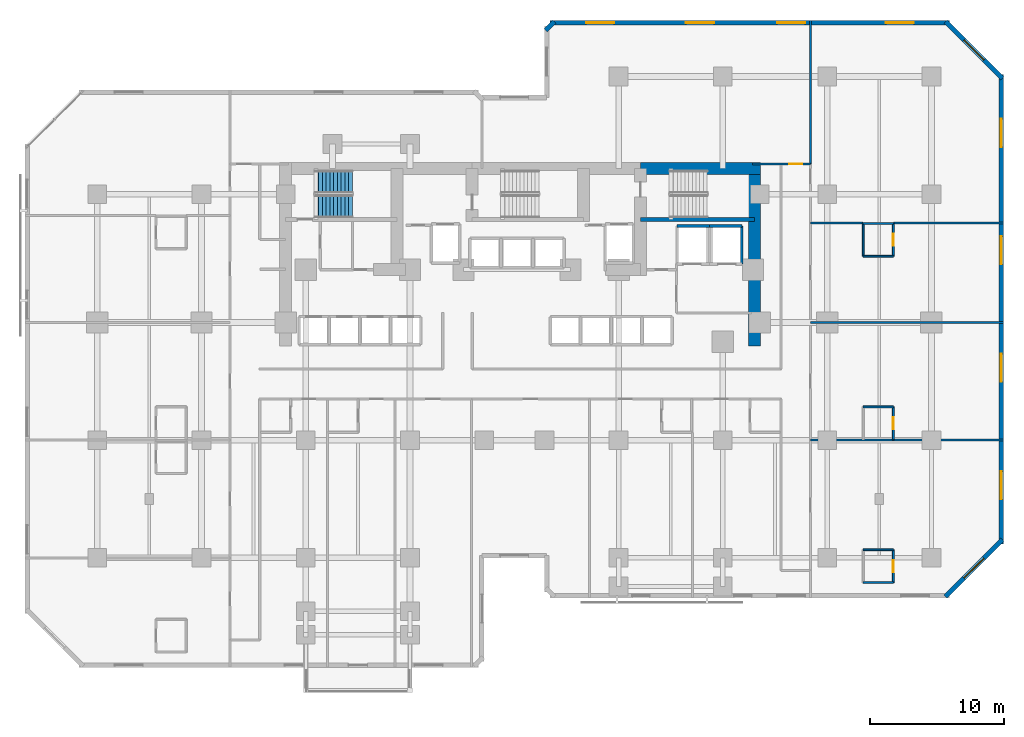
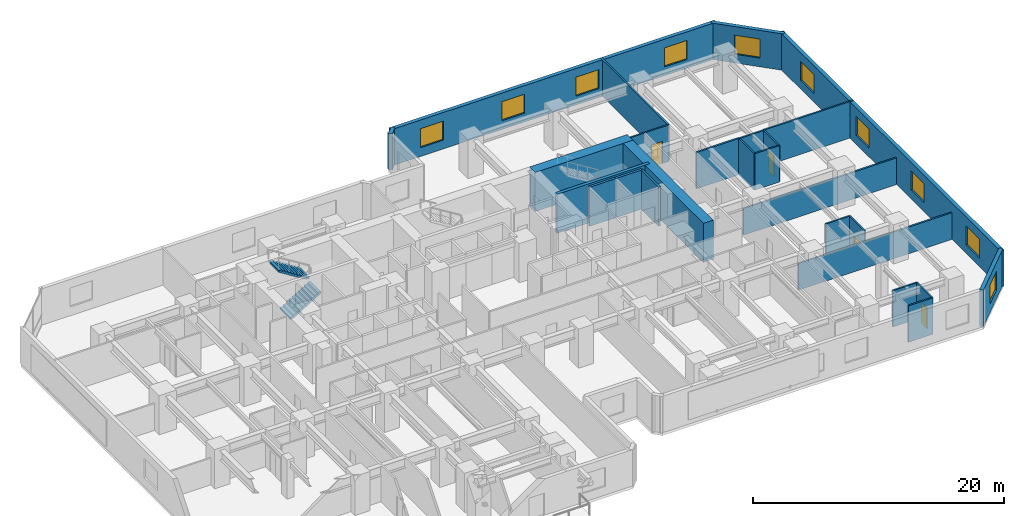
# One storey, part 9 of 12: 26 walls, 10 windows, 4 doors, 2 stair flights, 14 openings, 1 element without a shape of its own.
"""IFC4 building model written with IfcOpenShell, lengths in metres."""

from ifc_helpers import new_model, si_unit, direction, frame, frame_2d, origin, place, context, subcontext, project, spatial, polyline, rectangle, outline, extrude, material, layer, layer_set, type_object, element, fill, aggregate, save


model = new_model("IFC4")

# Units and contexts
model_context = context("Model", 3, precision=1e-05, world=origin(), true_north=direction((0.0, 1.0)))
body_context = subcontext(model_context, "Body", "Model", "MODEL_VIEW")
ifc_project = project(units=[si_unit("LENGTHUNIT", "METRE"), si_unit("AREAUNIT", "SQUARE_METRE"), si_unit("VOLUMEUNIT", "CUBIC_METRE"), si_unit("PLANEANGLEUNIT", "RADIAN"), si_unit("MASSUNIT", "GRAM", prefix="KILO")], contexts=[model_context])

# Site, building, storey
site_placement = place(None, origin())
site = spatial("IfcSite", under=ifc_project, at=site_placement, CompositionType="ELEMENT")
building_placement = place(site_placement, origin())
building = spatial("IfcBuilding", under=site, at=building_placement, Name="Kestravale Grand Hotel", CompositionType="ELEMENT")
storey_placement = place(building_placement, frame((0.0, 0.0, 64.0)))
storey = spatial("IfcBuildingStorey", under=building, at=storey_placement, Name="L15", CompositionType="ELEMENT", Elevation=64.0)

# Walls
ifc_material_1 = material(Name="Concrete f'c 70 MPa", Category="concrete")
ifc_layer_1 = layer(ifc_material_1, 0.89990234375)
ifc_layer_set_1 = layer_set([ifc_layer_1], Name="EW-CORE-900")
wall_type_1 = type_object("IfcWallType", Name="EW-CORE-900", PredefinedType="SHEAR", material=ifc_layer_set_1)
wall_1_placement = place(storey_placement, frame((48.449951171875, 40.320068359375, 0.0), z_axis=(0.0, 0.0, 1.0), x_axis=(1.0, 0.0, 0.0)))
element("IfcWall", 1, at=wall_1_placement, inside=storey, type_object=wall_type_1, Name="L15 core shear wall N3", PredefinedType="SHEAR", context=body_context, shape_type="SweptSolid", body=[
    extrude(rectangle(XDim=8.969970703125, YDim=0.89990234375, at=frame_2d((4.48486328125, 0.0))), origin(), (0.0, 0.0, 1.0), 3.800048828125),
])
wall_2_placement = place(storey_placement, frame((56.969970703125, 27.050048828125, 0.0), z_axis=(0.0, 0.0, 1.0), x_axis=(0.0, 1.0, 0.0)))
element("IfcWall", 2, at=wall_2_placement, inside=storey, type_object=wall_type_1, Name="L15 core shear wall E1", PredefinedType="SHEAR", context=body_context, shape_type="SweptSolid", body=[
    extrude(rectangle(XDim=13.719970703125, YDim=0.89990234375, at=frame_2d((6.85986328125, 0.0))), origin(), (0.0, 0.0, 1.0), 3.800048828125),
])

# Wall, opening, window
ifc_material_2 = material(Name="Precast concrete f'c 45 MPa", Category="concrete")
ifc_layer_2 = layer(ifc_material_2, 0.340087890625)
ifc_layer_set_2 = layer_set([ifc_layer_2], Name="EW-PREC-340")
wall_type_2 = type_object("IfcWallType", Name="EW-PREC-340", PredefinedType="SOLIDWALL", material=ifc_layer_set_2)
wall_3_placement = place(storey_placement, frame((71.25146484375, 8.2919921875, 0.0), z_axis=(0.0, 0.0, 1.0), x_axis=(0.707106781187, 0.707106781187, 0.0)))
wall_3 = element("IfcWall", 3, at=wall_3_placement, inside=storey, type_object=wall_type_2, Name="L15 fluted precast facade wall 8", PredefinedType="SOLIDWALL", context=body_context, shape_type="SweptSolid", body=[
    extrude(rectangle(XDim=6.019775390625, YDim=0.340087890625, at=frame_2d((3.009765625, 0.0))), origin(), (0.0, 0.0, 1.0), 3.5400390625),
])
opening_1_placement = place(wall_3_placement, frame((1.9599609375, 0.0, 0.85009765625)))
opening_1 = element("IfcOpeningElement", 4, at=opening_1_placement, cuts=wall_3, Name="Opening W-GUEST-2100", PredefinedType="OPENING", context=body_context, shape_type="SweptSolid", body=[
    extrude(rectangle(XDim=2.10009765625, YDim=1.85009765625, at=frame_2d((1.050048828125, 0.925048828125))), frame((0.0, 0.179931640625, 0.0), z_axis=(0.0, -1.0, 0.0), x_axis=(1.0, 0.0, 0.0)), (0.0, 0.0, 1.0), 0.360107421875),
])
ifc_material_3 = material(Name="Insulated low-E double glazing in aluminium frame", Category="aluminium")
window_type = type_object("IfcWindowType", Name="W-GUEST-2100", PartitioningType="DOUBLE_PANEL_VERTICAL", PredefinedType="WINDOW", material=ifc_material_3)
window_1_placement = place(opening_1_placement, origin())
window_1 = element("IfcWindow", 5, at=window_1_placement, inside=storey, type_object=window_type, Name="L15 exterior window 8.1", OverallHeight=1.85009765625, OverallWidth=2.10009765625, PartitioningType="SINGLE_PANEL", PredefinedType="WINDOW", context=body_context, shape_type="SweptSolid", body=[
    extrude(rectangle(XDim=2.10009765625, YDim=1.85009765625, at=frame_2d((1.050048828125, 0.925048828125))), frame((0.0, 0.030029296875, 0.0), z_axis=(0.0, -1.0, 0.0), x_axis=(1.0, 0.0, 0.0)), (0.0, 0.0, 1.0), 0.06005859375),
])
fill(opening_1, window_1)

# Wall, openings, windows
wall_4_placement = place(storey_placement, frame((75.429931640625, 12.22998046875, 0.0), z_axis=(0.0, 0.0, 1.0), x_axis=(0.0, 1.0, 0.0)))
wall_4 = element("IfcWall", 6, at=wall_4_placement, inside=storey, type_object=wall_type_2, Name="L15 fluted precast facade wall 9", PredefinedType="SOLIDWALL", context=body_context, shape_type="SweptSolid", body=[
    extrude(rectangle(XDim=35.14013671875, YDim=0.340087890625, at=frame_2d((17.570068359375, 0.0))), origin(), (0.0, 0.0, 1.0), 3.5400390625),
])
opening_2_placement = place(wall_4_placement, frame((3.342529296875, 0.0, 0.85009765625)))
opening_2 = element("IfcOpeningElement", 7, at=opening_2_placement, cuts=wall_4, Name="Opening W-GUEST-2100", PredefinedType="OPENING", context=body_context, shape_type="SweptSolid", body=[
    extrude(rectangle(XDim=2.10009765625, YDim=1.85009765625, at=frame_2d((1.050048828125, 0.925048828125))), frame((0.0, 0.179931640625, 0.0), z_axis=(0.0, -1.0, 0.0), x_axis=(1.0, 0.0, 0.0)), (0.0, 0.0, 1.0), 0.360107421875),
])
opening_3_placement = place(wall_4_placement, frame((12.12744140625, 0.0, 0.85009765625)))
opening_3 = element("IfcOpeningElement", 8, at=opening_3_placement, cuts=wall_4, Name="Opening W-GUEST-2100", PredefinedType="OPENING", context=body_context, shape_type="SweptSolid", body=[
    extrude(rectangle(XDim=2.10009765625, YDim=1.85009765625, at=frame_2d((1.050048828125, 0.925048828125))), frame((0.0, 0.179931640625, 0.0), z_axis=(0.0, -1.0, 0.0), x_axis=(1.0, 0.0, 0.0)), (0.0, 0.0, 1.0), 0.360107421875),
])
opening_4_placement = place(wall_4_placement, frame((20.91259765625, 0.0, 0.85009765625)))
opening_4 = element("IfcOpeningElement", 9, at=opening_4_placement, cuts=wall_4, Name="Opening W-GUEST-2100", PredefinedType="OPENING", context=body_context, shape_type="SweptSolid", body=[
    extrude(rectangle(XDim=2.10009765625, YDim=1.85009765625, at=frame_2d((1.050048828125, 0.925048828125))), frame((0.0, 0.179931640625, 0.0), z_axis=(0.0, -1.0, 0.0), x_axis=(1.0, 0.0, 0.0)), (0.0, 0.0, 1.0), 0.360107421875),
])
opening_5_placement = place(wall_4_placement, frame((29.697509765625, 0.0, 0.85009765625)))
opening_5 = element("IfcOpeningElement", 10, at=opening_5_placement, cuts=wall_4, Name="Opening W-GUEST-2100", PredefinedType="OPENING", context=body_context, shape_type="SweptSolid", body=[
    extrude(rectangle(XDim=2.10009765625, YDim=1.85009765625, at=frame_2d((1.050048828125, 0.925048828125))), frame((0.0, 0.179931640625, 0.0), z_axis=(0.0, -1.0, 0.0), x_axis=(1.0, 0.0, 0.0)), (0.0, 0.0, 1.0), 0.360107421875),
])
window_2_placement = place(opening_2_placement, origin())
window_2 = element("IfcWindow", 11, at=window_2_placement, inside=storey, type_object=window_type, Name="L15 exterior window 9.1", OverallHeight=1.85009765625, OverallWidth=2.10009765625, PartitioningType="SINGLE_PANEL", PredefinedType="WINDOW", context=body_context, shape_type="SweptSolid", body=[
    extrude(rectangle(XDim=2.10009765625, YDim=1.85009765625, at=frame_2d((1.050048828125, 0.925048828125))), frame((0.0, 0.030029296875, 0.0), z_axis=(0.0, -1.0, 0.0), x_axis=(1.0, 0.0, 0.0)), (0.0, 0.0, 1.0), 0.06005859375),
])
fill(opening_2, window_2)
window_3_placement = place(opening_3_placement, origin())
window_3 = element("IfcWindow", 12, at=window_3_placement, inside=storey, type_object=window_type, Name="L15 exterior window 9.2", OverallHeight=1.85009765625, OverallWidth=2.10009765625, PartitioningType="SINGLE_PANEL", PredefinedType="WINDOW", context=body_context, shape_type="SweptSolid", body=[
    extrude(rectangle(XDim=2.10009765625, YDim=1.85009765625, at=frame_2d((1.050048828125, 0.925048828125))), frame((0.0, 0.030029296875, 0.0), z_axis=(0.0, -1.0, 0.0), x_axis=(1.0, 0.0, 0.0)), (0.0, 0.0, 1.0), 0.06005859375),
])
fill(opening_3, window_3)
window_4_placement = place(opening_4_placement, origin())
window_4 = element("IfcWindow", 13, at=window_4_placement, inside=storey, type_object=window_type, Name="L15 exterior window 9.3", OverallHeight=1.85009765625, OverallWidth=2.10009765625, PartitioningType="SINGLE_PANEL", PredefinedType="WINDOW", context=body_context, shape_type="SweptSolid", body=[
    extrude(rectangle(XDim=2.10009765625, YDim=1.85009765625, at=frame_2d((1.050048828125, 0.925048828125))), frame((0.0, 0.030029296875, 0.0), z_axis=(0.0, -1.0, 0.0), x_axis=(1.0, 0.0, 0.0)), (0.0, 0.0, 1.0), 0.06005859375),
])
fill(opening_4, window_4)
window_5_placement = place(opening_5_placement, origin())
window_5 = element("IfcWindow", 14, at=window_5_placement, inside=storey, type_object=window_type, Name="L15 exterior window 9.4", OverallHeight=1.85009765625, OverallWidth=2.10009765625, PartitioningType="SINGLE_PANEL", PredefinedType="WINDOW", context=body_context, shape_type="SweptSolid", body=[
    extrude(rectangle(XDim=2.10009765625, YDim=1.85009765625, at=frame_2d((1.050048828125, 0.925048828125))), frame((0.0, 0.030029296875, 0.0), z_axis=(0.0, -1.0, 0.0), x_axis=(1.0, 0.0, 0.0)), (0.0, 0.0, 1.0), 0.06005859375),
])
fill(opening_5, window_5)

# Wall, opening, window
wall_5_placement = place(storey_placement, frame((75.508056640625, 47.051513671875, 0.0), z_axis=(0.0, 0.0, 1.0), x_axis=(-0.707106781187, 0.707106781187, 0.0)))
wall_5 = element("IfcWall", 15, at=wall_5_placement, inside=storey, type_object=wall_type_2, Name="L15 fluted precast facade wall 10", PredefinedType="SOLIDWALL", context=body_context, shape_type="SweptSolid", body=[
    extrude(rectangle(XDim=6.019775390625, YDim=0.340087890625, at=frame_2d((3.009765625, 0.0))), origin(), (0.0, 0.0, 1.0), 3.5400390625),
])
opening_6_placement = place(wall_5_placement, frame((1.9599609375, 0.0, 0.85009765625)))
opening_6 = element("IfcOpeningElement", 16, at=opening_6_placement, cuts=wall_5, Name="Opening W-GUEST-2100", PredefinedType="OPENING", context=body_context, shape_type="SweptSolid", body=[
    extrude(rectangle(XDim=2.10009765625, YDim=1.85009765625, at=frame_2d((1.050048828125, 0.925048828125))), frame((0.0, 0.179931640625, 0.0), z_axis=(0.0, -1.0, 0.0), x_axis=(1.0, 0.0, 0.0)), (0.0, 0.0, 1.0), 0.360107421875),
])
window_6_placement = place(opening_6_placement, origin())
window_6 = element("IfcWindow", 17, at=window_6_placement, inside=storey, type_object=window_type, Name="L15 exterior window 10.1", OverallHeight=1.85009765625, OverallWidth=2.10009765625, PartitioningType="SINGLE_PANEL", PredefinedType="WINDOW", context=body_context, shape_type="SweptSolid", body=[
    extrude(rectangle(XDim=2.10009765625, YDim=1.85009765625, at=frame_2d((1.050048828125, 0.925048828125))), frame((0.0, 0.030029296875, 0.0), z_axis=(0.0, -1.0, 0.0), x_axis=(1.0, 0.0, 0.0)), (0.0, 0.0, 1.0), 0.06005859375),
])
fill(opening_6, window_6)

# Wall, openings, windows
wall_6_placement = place(storey_placement, frame((71.570068359375, 51.22998046875, 0.0), z_axis=(0.0, 0.0, 1.0), x_axis=(-1.0, 0.0, 0.0)))
wall_6 = element("IfcWall", 18, at=wall_6_placement, inside=storey, type_object=wall_type_2, Name="L15 fluted precast facade wall 11", PredefinedType="SOLIDWALL", context=body_context, shape_type="SweptSolid", body=[
    extrude(rectangle(XDim=29.89013671875, YDim=0.340087890625, at=frame_2d((14.945068359375, 0.0))), origin(), (0.0, 0.0, 1.0), 3.5400390625),
])
opening_7_placement = place(wall_6_placement, frame((2.686279296875, 0.0, 0.85009765625)))
opening_7 = element("IfcOpeningElement", 19, at=opening_7_placement, cuts=wall_6, Name="Opening W-GUEST-2100", PredefinedType="OPENING", context=body_context, shape_type="SweptSolid", body=[
    extrude(rectangle(XDim=2.10009765625, YDim=1.85009765625, at=frame_2d((1.050048828125, 0.925048828125))), frame((0.0, 0.179931640625, 0.0), z_axis=(0.0, -1.0, 0.0), x_axis=(1.0, 0.0, 0.0)), (0.0, 0.0, 1.0), 0.360107421875),
])
opening_8_placement = place(wall_6_placement, frame((10.80859375, 0.0, 0.85009765625)))
opening_8 = element("IfcOpeningElement", 20, at=opening_8_placement, cuts=wall_6, Name="Opening W-GUEST-2100", PredefinedType="OPENING", context=body_context, shape_type="SweptSolid", body=[
    extrude(rectangle(XDim=2.10009765625, YDim=1.85009765625, at=frame_2d((1.050048828125, 0.925048828125))), frame((0.0, 0.179931640625, 0.0), z_axis=(0.0, -1.0, 0.0), x_axis=(1.0, 0.0, 0.0)), (0.0, 0.0, 1.0), 0.360107421875),
])
opening_9_placement = place(wall_6_placement, frame((17.631103515625, 0.0, 0.85009765625)))
opening_9 = element("IfcOpeningElement", 21, at=opening_9_placement, cuts=wall_6, Name="Opening W-GUEST-2100", PredefinedType="OPENING", context=body_context, shape_type="SweptSolid", body=[
    extrude(rectangle(XDim=2.10009765625, YDim=1.85009765625, at=frame_2d((1.050048828125, 0.925048828125))), frame((0.0, 0.179931640625, 0.0), z_axis=(0.0, -1.0, 0.0), x_axis=(1.0, 0.0, 0.0)), (0.0, 0.0, 1.0), 0.360107421875),
])
opening_10_placement = place(wall_6_placement, frame((25.103759765625, 0.0, 0.85009765625)))
opening_10 = element("IfcOpeningElement", 22, at=opening_10_placement, cuts=wall_6, Name="Opening W-GUEST-2100", PredefinedType="OPENING", context=body_context, shape_type="SweptSolid", body=[
    extrude(rectangle(XDim=2.10009765625, YDim=1.85009765625, at=frame_2d((1.050048828125, 0.925048828125))), frame((0.0, 0.179931640625, 0.0), z_axis=(0.0, -1.0, 0.0), x_axis=(1.0, 0.0, 0.0)), (0.0, 0.0, 1.0), 0.360107421875),
])
window_7_placement = place(opening_7_placement, origin())
window_7 = element("IfcWindow", 23, at=window_7_placement, inside=storey, type_object=window_type, Name="L15 exterior window 11.1", OverallHeight=1.85009765625, OverallWidth=2.10009765625, PartitioningType="SINGLE_PANEL", PredefinedType="WINDOW", context=body_context, shape_type="SweptSolid", body=[
    extrude(rectangle(XDim=2.10009765625, YDim=1.85009765625, at=frame_2d((1.050048828125, 0.925048828125))), frame((0.0, 0.030029296875, 0.0), z_axis=(0.0, -1.0, 0.0), x_axis=(1.0, 0.0, 0.0)), (0.0, 0.0, 1.0), 0.06005859375),
])
fill(opening_7, window_7)
window_8_placement = place(opening_8_placement, origin())
window_8 = element("IfcWindow", 24, at=window_8_placement, inside=storey, type_object=window_type, Name="L15 exterior window 11.2", OverallHeight=1.85009765625, OverallWidth=2.10009765625, PartitioningType="SINGLE_PANEL", PredefinedType="WINDOW", context=body_context, shape_type="SweptSolid", body=[
    extrude(rectangle(XDim=2.10009765625, YDim=1.85009765625, at=frame_2d((1.050048828125, 0.925048828125))), frame((0.0, 0.030029296875, 0.0), z_axis=(0.0, -1.0, 0.0), x_axis=(1.0, 0.0, 0.0)), (0.0, 0.0, 1.0), 0.06005859375),
])
fill(opening_8, window_8)
window_9_placement = place(opening_9_placement, origin())
window_9 = element("IfcWindow", 25, at=window_9_placement, inside=storey, type_object=window_type, Name="L15 exterior window 11.3", OverallHeight=1.85009765625, OverallWidth=2.10009765625, PartitioningType="SINGLE_PANEL", PredefinedType="WINDOW", context=body_context, shape_type="SweptSolid", body=[
    extrude(rectangle(XDim=2.10009765625, YDim=1.85009765625, at=frame_2d((1.050048828125, 0.925048828125))), frame((0.0, 0.030029296875, 0.0), z_axis=(0.0, -1.0, 0.0), x_axis=(1.0, 0.0, 0.0)), (0.0, 0.0, 1.0), 0.06005859375),
])
fill(opening_9, window_9)
window_10_placement = place(opening_10_placement, origin())
window_10 = element("IfcWindow", 26, at=window_10_placement, inside=storey, type_object=window_type, Name="L15 exterior window 11.4", OverallHeight=1.85009765625, OverallWidth=2.10009765625, PartitioningType="SINGLE_PANEL", PredefinedType="WINDOW", context=body_context, shape_type="SweptSolid", body=[
    extrude(rectangle(XDim=2.10009765625, YDim=1.85009765625, at=frame_2d((1.050048828125, 0.925048828125))), frame((0.0, 0.030029296875, 0.0), z_axis=(0.0, -1.0, 0.0), x_axis=(1.0, 0.0, 0.0)), (0.0, 0.0, 1.0), 0.06005859375),
])
fill(opening_10, window_10)

# Walls
wall_7_placement = place(storey_placement, frame((41.99853515625, 51.30810546875, 0.0), z_axis=(0.0, 0.0, 1.0), x_axis=(-0.707238225886, -0.706975312048, 0.0)))
element("IfcWall", 27, at=wall_7_placement, inside=storey, type_object=wall_type_2, Name="L15 fluted precast facade wall 12", PredefinedType="SOLIDWALL", context=body_context, shape_type="SweptSolid", body=[
    extrude(rectangle(XDim=0.9287109375, YDim=0.340087890625, at=frame_2d((0.46435546875, 0.0))), origin(), (0.0, 0.0, 1.0), 3.5400390625),
])
ifc_material_4 = material(Name="Concrete f'c 45 MPa", Category="concrete")
ifc_layer_3 = layer(ifc_material_4, 0.300048828125)
ifc_layer_set_3 = layer_set([ifc_layer_3], Name="EW-STAIR-300")
wall_type_3 = type_object("IfcWallType", Name="EW-STAIR-300", PredefinedType="SHEAR", material=ifc_layer_set_3)
wall_8_placement = place(storey_placement, frame((48.449951171875, 36.52001953125, 0.0), z_axis=(0.0, 0.0, 1.0), x_axis=(1.0, 0.0, 0.0)))
element("IfcWall", 28, at=wall_8_placement, inside=storey, type_object=wall_type_3, Name="L15 stair enclosure shear wall SST3", PredefinedType="SHEAR", context=body_context, shape_type="SweptSolid", body=[
    extrude(rectangle(XDim=8.52001953125, YDim=0.300048828125, at=frame_2d((4.260009765625, 0.0))), origin(), (0.0, 0.0, 1.0), 3.800048828125),
])

# Wall, opening, door
ifc_material_5 = material(Name="Moisture-resistant tile-backer plumbing chase wall", Category="other")
ifc_layer_4 = layer(ifc_material_5, 0.139892578125)
ifc_layer_set_4 = layer_set([ifc_layer_4], Name="IW-PLB-140")
wall_type_4 = type_object("IfcWallType", Name="IW-PLB-140", PredefinedType="PLUMBINGWALL", material=ifc_layer_set_4)
wall_9_placement = place(storey_placement, frame((67.35009765625, 9.35009765625, 0.0), z_axis=(0.0, 0.0, 1.0), x_axis=(0.0, 1.0, 0.0)))
wall_9 = element("IfcWall", 29, at=wall_9_placement, inside=storey, type_object=wall_type_4, Name="W-L15-U09-BE", PredefinedType="PLUMBINGWALL", context=body_context, shape_type="SweptSolid", body=[
    extrude(rectangle(XDim=2.449951171875, YDim=0.139892578125, at=frame_2d((1.22509765625, 0.0))), origin(), (0.0, 0.0, 1.0), 3.5400390625),
])
opening_11_placement = place(wall_9_placement, frame((0.784912109375, 0.0, 0.0)))
opening_11 = element("IfcOpeningElement", 30, at=opening_11_placement, cuts=wall_9, Name="Opening D-BATH-880", PredefinedType="OPENING", context=body_context, shape_type="SweptSolid", body=[
    extrude(rectangle(XDim=0.8798828125, YDim=2.050048828125, at=frame_2d((0.43994140625, 1.02490234375))), frame((0.0, 0.079833984375, 0.0), z_axis=(0.0, -1.0, 0.0), x_axis=(1.0, 0.0, 0.0)), (0.0, 0.0, 1.0), 0.159912109375),
])
ifc_material_6 = material(Name="Moisture-sealed walnut en-suite bathroom door", Category="wood")
door_type_1 = type_object("IfcDoorType", Name="D-BATH-880", OperationType="NOTDEFINED", PredefinedType="DOOR", material=ifc_material_6)
door_1_placement = place(opening_11_placement, origin())
door_1 = element("IfcDoor", 31, at=door_1_placement, inside=storey, type_object=door_type_1, Name="D-L15-U09-BATH", OperationType="SINGLE_SWING_RIGHT", OverallHeight=2.050048828125, OverallWidth=0.8798828125, PredefinedType="DOOR", context=body_context, shape_type="SweptSolid", body=[
    extrude(rectangle(XDim=0.8798828125, YDim=2.050048828125, at=frame_2d((0.43994140625, 1.02490234375))), frame((0.0, 0.02490234375, 0.0), z_axis=(0.0, -1.0, 0.0), x_axis=(1.0, 0.0, 0.0)), (0.0, 0.0, 1.0), 0.050048828125),
])
fill(opening_11, door_1)

# Walls
for number, where, z_axis, x_axis, name in (
    (32, (65.10009765625, 9.35009765625, 0.0), (0.0, 0.0, 1.0), (1.0, 0.0, 0.0), "W-L15-U09-BS"),
    (33, (65.10009765625, 11.800048828125, 0.0), (0.0, 0.0, 1.0), (1.0, 0.0, 0.0), "W-L15-U09-BN"),
):
    element("IfcWall", number, at=place(storey_placement, frame(where, z_axis=z_axis, x_axis=x_axis)), inside=storey, type_object=wall_type_4, Name=name, PredefinedType="PLUMBINGWALL", context=body_context, shape_type="SweptSolid", body=[
        extrude(rectangle(XDim=2.25, YDim=0.139892578125, at=frame_2d((1.125, 0.0))), origin(), (0.0, 0.0, 1.0), 3.5400390625),
    ])

# Wall, opening, door
wall_10_placement = place(storey_placement, frame((67.35009765625, 20.0400390625, 0.0), z_axis=(0.0, 0.0, 1.0), x_axis=(0.0, 1.0, 0.0)))
wall_10 = element("IfcWall", 34, at=wall_10_placement, inside=storey, type_object=wall_type_4, Name="W-L15-U10-BE", PredefinedType="PLUMBINGWALL", context=body_context, shape_type="SweptSolid", body=[
    extrude(rectangle(XDim=2.449951171875, YDim=0.139892578125, at=frame_2d((1.22509765625, 0.0))), origin(), (0.0, 0.0, 1.0), 3.5400390625),
])
opening_12_placement = place(wall_10_placement, frame((0.784912109375, 0.0, 0.0)))
opening_12 = element("IfcOpeningElement", 35, at=opening_12_placement, cuts=wall_10, Name="Opening D-BATH-880", PredefinedType="OPENING", context=body_context, shape_type="SweptSolid", body=[
    extrude(rectangle(XDim=0.8798828125, YDim=2.050048828125, at=frame_2d((0.43994140625, 1.02490234375))), frame((0.0, 0.079833984375, 0.0), z_axis=(0.0, -1.0, 0.0), x_axis=(1.0, 0.0, 0.0)), (0.0, 0.0, 1.0), 0.159912109375),
])
door_2_placement = place(opening_12_placement, origin())
door_2 = element("IfcDoor", 36, at=door_2_placement, inside=storey, type_object=door_type_1, Name="D-L15-U10-BATH", OperationType="SINGLE_SWING_RIGHT", OverallHeight=2.050048828125, OverallWidth=0.8798828125, PredefinedType="DOOR", context=body_context, shape_type="SweptSolid", body=[
    extrude(rectangle(XDim=0.8798828125, YDim=2.050048828125, at=frame_2d((0.43994140625, 1.02490234375))), frame((0.0, 0.02490234375, 0.0), z_axis=(0.0, -1.0, 0.0), x_axis=(1.0, 0.0, 0.0)), (0.0, 0.0, 1.0), 0.050048828125),
])
fill(opening_12, door_2)

# Walls
wall_11_placement = place(storey_placement, frame((65.10009765625, 22.489990234375, 0.0), z_axis=(0.0, 0.0, 1.0), x_axis=(1.0, 0.0, 0.0)))
element("IfcWall", 37, at=wall_11_placement, inside=storey, type_object=wall_type_4, Name="W-L15-U10-BN", PredefinedType="PLUMBINGWALL", context=body_context, shape_type="SweptSolid", body=[
    extrude(rectangle(XDim=2.25, YDim=0.139892578125, at=frame_2d((1.125, 0.0))), origin(), (0.0, 0.0, 1.0), 3.5400390625),
])
wall_12_placement = place(storey_placement, frame((65.10009765625, 33.760009765625, 0.0), z_axis=(0.0, 0.0, 1.0), x_axis=(0.0, 1.0, 0.0)))
element("IfcWall", 38, at=wall_12_placement, inside=storey, type_object=wall_type_4, Name="W-L15-U11-BW", PredefinedType="PLUMBINGWALL", context=body_context, shape_type="SweptSolid", body=[
    extrude(rectangle(XDim=2.449951171875, YDim=0.139892578125, at=frame_2d((1.22509765625, 0.0))), origin(), (0.0, 0.0, 1.0), 3.5400390625),
])

# Wall, opening, door
wall_13_placement = place(storey_placement, frame((67.35009765625, 33.760009765625, 0.0), z_axis=(0.0, 0.0, 1.0), x_axis=(0.0, 1.0, 0.0)))
wall_13 = element("IfcWall", 39, at=wall_13_placement, inside=storey, type_object=wall_type_4, Name="W-L15-U11-BE", PredefinedType="PLUMBINGWALL", context=body_context, shape_type="SweptSolid", body=[
    extrude(rectangle(XDim=2.449951171875, YDim=0.139892578125, at=frame_2d((1.22509765625, 0.0))), origin(), (0.0, 0.0, 1.0), 3.5400390625),
])
opening_13_placement = place(wall_13_placement, frame((0.784912109375, 0.0, 0.0)))
opening_13 = element("IfcOpeningElement", 40, at=opening_13_placement, cuts=wall_13, Name="Opening D-BATH-880", PredefinedType="OPENING", context=body_context, shape_type="SweptSolid", body=[
    extrude(rectangle(XDim=0.8798828125, YDim=2.050048828125, at=frame_2d((0.43994140625, 1.02490234375))), frame((0.0, 0.079833984375, 0.0), z_axis=(0.0, -1.0, 0.0), x_axis=(1.0, 0.0, 0.0)), (0.0, 0.0, 1.0), 0.159912109375),
])
door_3_placement = place(opening_13_placement, origin())
door_3 = element("IfcDoor", 41, at=door_3_placement, inside=storey, type_object=door_type_1, Name="D-L15-U11-BATH", OperationType="SINGLE_SWING_RIGHT", OverallHeight=2.050048828125, OverallWidth=0.8798828125, PredefinedType="DOOR", context=body_context, shape_type="SweptSolid", body=[
    extrude(rectangle(XDim=0.8798828125, YDim=2.050048828125, at=frame_2d((0.43994140625, 1.02490234375))), frame((0.0, 0.02490234375, 0.0), z_axis=(0.0, -1.0, 0.0), x_axis=(1.0, 0.0, 0.0)), (0.0, 0.0, 1.0), 0.050048828125),
])
fill(opening_13, door_3)

# Walls
for number, where, z_axis, x_axis, name in (
    (42, (65.10009765625, 33.760009765625, 0.0), (0.0, 0.0, 1.0), (1.0, 0.0, 0.0), "W-L15-U11-BS"),
    (43, (65.10009765625, 36.2099609375, 0.0), (0.0, 0.0, 1.0), (1.0, 0.0, 0.0), "W-L15-U11-BN"),
):
    element("IfcWall", number, at=place(storey_placement, frame(where, z_axis=z_axis, x_axis=x_axis)), inside=storey, type_object=wall_type_4, Name=name, PredefinedType="PLUMBINGWALL", context=body_context, shape_type="SweptSolid", body=[
        extrude(rectangle(XDim=2.25, YDim=0.139892578125, at=frame_2d((1.125, 0.0))), origin(), (0.0, 0.0, 1.0), 3.5400390625),
    ])
ifc_material_7 = material(Name="Concrete f'c 45 MPa", Category="concrete")
ifc_layer_5 = layer(ifc_material_7, 0.199951171875)
ifc_layer_set_5 = layer_set([ifc_layer_5], Name="IW-SHAFT-200")
wall_type_5 = type_object("IfcWallType", Name="IW-SHAFT-200", PredefinedType="SHEAR", material=ifc_layer_set_5)
wall_14_placement = place(storey_placement, frame((56.02001953125, 33.169921875, 0.0), z_axis=(0.0, 0.0, 1.0), x_axis=(0.0, 1.0, 0.0)))
element("IfcWall", 44, at=wall_14_placement, inside=storey, type_object=wall_type_5, Name="L15 SL-2 east shaft wall", PredefinedType="SHEAR", context=body_context, shape_type="SweptSolid", body=[
    extrude(rectangle(XDim=2.860107421875, YDim=0.199951171875, at=frame_2d((1.43017578125, 0.0))), origin(), (0.0, 0.0, 1.0), 3.800048828125),
])
ifc_material_8 = material(Name="Concrete f'c 45 MPa", Category="concrete")
ifc_layer_6 = layer(ifc_material_8, 0.219970703125)
ifc_layer_set_6 = layer_set([ifc_layer_6], Name="IW-SHAFT-220")
wall_type_6 = type_object("IfcWallType", Name="IW-SHAFT-220", PredefinedType="SHEAR", material=ifc_layer_set_6)
wall_15_placement = place(storey_placement, frame((51.179931640625, 36.030029296875, 0.0), z_axis=(0.0, 0.0, 1.0), x_axis=(1.0, 0.0, 0.0)))
element("IfcWall", 45, at=wall_15_placement, inside=storey, type_object=wall_type_6, Name="L15 SL-1 north shaft wall", PredefinedType="SHEAR", context=body_context, shape_type="SweptSolid", body=[
    extrude(rectangle(XDim=2.420166015625, YDim=0.219970703125, at=frame_2d((1.2099609375, 0.0))), origin(), (0.0, 0.0, 1.0), 3.800048828125),
])
wall_16_placement = place(storey_placement, frame((53.60009765625, 36.030029296875, 0.0), z_axis=(0.0, 0.0, 1.0), x_axis=(1.0, 0.0, 0.0)))
element("IfcWall", 46, at=wall_16_placement, inside=storey, type_object=wall_type_6, Name="L15 SL-2 north shaft wall", PredefinedType="SHEAR", context=body_context, shape_type="SweptSolid", body=[
    extrude(rectangle(XDim=2.419921875, YDim=0.219970703125, at=frame_2d((1.2099609375, 0.0))), origin(), (0.0, 0.0, 1.0), 3.800048828125),
])

# Wall, opening, door
ifc_material_9 = material(Name="Double-stud STC 52 acoustic demising partition", Category="other")
ifc_layer_7 = layer(ifc_material_9, 0.14990234375)
ifc_layer_set_7 = layer_set([ifc_layer_7], Name="IW-UNIT-150")
wall_type_7 = type_object("IfcWallType", Name="IW-UNIT-150", PredefinedType="PARTITIONING", material=ifc_layer_set_7)
wall_17_placement = place(storey_placement, frame((56.800048828125, 40.64990234375, 0.0), z_axis=(0.0, 0.0, 1.0), x_axis=(1.0, 0.0, 0.0)))
wall_17 = element("IfcWall", 47, at=wall_17_placement, inside=storey, type_object=wall_type_7, Name="W-L15-SE-N", PredefinedType="PARTITIONING", context=body_context, shape_type="SweptSolid", body=[
    extrude(rectangle(XDim=4.35986328125, YDim=0.14990234375, at=frame_2d((2.179931640625, 0.0))), origin(), (0.0, 0.0, 1.0), 3.5400390625),
])
opening_14_placement = place(wall_17_placement, frame((2.75, 0.0, 0.0)))
opening_14 = element("IfcOpeningElement", 48, at=opening_14_placement, cuts=wall_17, Name="Opening D-GUEST-1000", PredefinedType="OPENING", context=body_context, shape_type="SweptSolid", body=[
    extrude(rectangle(XDim=1.0, YDim=2.14990234375, at=frame_2d((0.5, 1.074951171875))), frame((0.0, 0.0849609375, 0.0), z_axis=(0.0, -1.0, 0.0), x_axis=(1.0, 0.0, 0.0)), (0.0, 0.0, 1.0), 0.169921875),
])
ifc_material_10 = material(Name="Accessible walnut veneer hotel entrance fire door", Category="wood")
door_type_2 = type_object("IfcDoorType", Name="D-GUEST-1000", OperationType="NOTDEFINED", PredefinedType="DOOR", material=ifc_material_10)
door_4_placement = place(opening_14_placement, origin())
door_4 = element("IfcDoor", 49, at=door_4_placement, inside=storey, type_object=door_type_2, Name="L15 NE Gallery Door", OperationType="SINGLE_SWING_LEFT", OverallHeight=2.14990234375, OverallWidth=1.0, PredefinedType="DOOR", context=body_context, shape_type="SweptSolid", body=[
    extrude(rectangle(XDim=1.0, YDim=2.14990234375, at=frame_2d((0.5, 1.074951171875))), frame((0.0, 0.02490234375, 0.0), z_axis=(0.0, -1.0, 0.0), x_axis=(1.0, 0.0, 0.0)), (0.0, 0.0, 1.0), 0.050048828125),
])
fill(opening_14, door_4)

# Walls
wall_18_placement = place(storey_placement, frame((61.159912109375, 40.64990234375, 0.0), z_axis=(0.0, 0.0, 1.0), x_axis=(0.0, 1.0, 0.0)))
element("IfcWall", 50, at=wall_18_placement, inside=storey, type_object=wall_type_7, Name="W-L15-NGE-E", PredefinedType="PARTITIONING", context=body_context, shape_type="SweptSolid", body=[
    extrude(rectangle(XDim=10.72998046875, YDim=0.14990234375, at=frame_2d((5.364990234375, 0.0))), origin(), (0.0, 0.0, 1.0), 3.5400390625),
])
for number, where, z_axis, x_axis, name in (
    (51, (61.159912109375, 20.0, 0.0), (0.0, 0.0, 1.0), (1.0, 0.0, 0.0), "W-L15-EW-1"),
    (52, (61.159912109375, 28.800048828125, 0.0), (0.0, 0.0, 1.0), (1.0, 0.0, 0.0), "W-L15-EW-2"),
):
    element("IfcWall", number, at=place(storey_placement, frame(where, z_axis=z_axis, x_axis=x_axis)), inside=storey, type_object=wall_type_7, Name=name, PredefinedType="PARTITIONING", context=body_context, shape_type="SweptSolid", body=[
        extrude(rectangle(XDim=14.420166015625, YDim=0.14990234375, at=frame_2d((7.2099609375, 0.0))), origin(), (0.0, 0.0, 1.0), 2.593017578125),
    ])
wall_19_placement = place(storey_placement, frame((61.159912109375, 36.25, 0.0), z_axis=(0.0, 0.0, 1.0), x_axis=(1.0, 0.0, 0.0)))
element("IfcWall", 53, at=wall_19_placement, inside=storey, type_object=wall_type_7, Name="W-L15-EW-3", PredefinedType="PARTITIONING", context=body_context, shape_type="SweptSolid", body=[
    extrude(rectangle(XDim=3.940185546875, YDim=0.14990234375, at=frame_2d((1.97021484375, 0.0))), origin(), (0.0, 0.0, 1.0), 3.5400390625),
])
wall_20_placement = place(storey_placement, frame((67.35009765625, 36.25, 0.0), z_axis=(0.0, 0.0, 1.0), x_axis=(1.0, 0.0, 0.0)))
element("IfcWall", 54, at=wall_20_placement, inside=storey, type_object=wall_type_7, Name="W-L15-EW-3", PredefinedType="PARTITIONING", context=body_context, shape_type="SweptSolid", body=[
    extrude(rectangle(XDim=8.22998046875, YDim=0.14990234375, at=frame_2d((4.114990234375, 0.0))), origin(), (0.0, 0.0, 1.0), 3.5400390625),
])

# Stair, stair flights
ifc_material_11 = material(Name="Concrete f'c 45 MPa", Category="concrete")
stair_type = type_object("IfcStairType", Name="ST-CORE-380", PredefinedType="HALF_TURN_STAIR", material=ifc_material_11)
stair_placement = place(storey_placement, origin())
stair = element("IfcStair", 55, at=stair_placement, inside=storey, type_object=stair_type, Name="L15 ST-1", PredefinedType="HALF_TURN_STAIR")
ifc_material_12 = material(Name="Concrete f'c 45 MPa", Category="concrete")
stair_flight_type = type_object("IfcStairFlightType", Name="STF-CORE-380", PredefinedType="STRAIGHT", material=ifc_material_12)
stair_flight_1_placement = place(storey_placement, frame((24.080078125, 37.489990234375, 0.0), z_axis=(0.0, 0.0, 1.0), x_axis=(1.0, 0.0, 0.0)))
stair_flight_1 = element("IfcStairFlight", 56, at=stair_flight_1_placement, type_object=stair_flight_type, Name="ST-1 flight 1", NumberOfRisers=11, NumberOfTreads=10, PredefinedType="STRAIGHT", RiserHeight=0.172727273, TreadLength=0.28, context=body_context, shape_type="SweptSolid", body=[
    extrude(outline(polyline([(0.0, 0.0), (0.0, 0.172607421875), (0.280029296875, 0.172607421875), (0.280029296875, 0.345458984375), (0.56005859375, 0.345458984375), (0.56005859375, 0.51806640625), (0.840087890625, 0.51806640625), (0.840087890625, 0.69091796875), (1.1201171875, 0.69091796875), (1.1201171875, 0.863525390625), (1.39990234375, 0.863525390625), (1.39990234375, 1.036376953125), (1.679931640625, 1.036376953125), (1.679931640625, 1.208984375), (1.9599609375, 1.208984375), (1.9599609375, 1.3818359375), (2.239990234375, 1.3818359375), (2.239990234375, 1.554443359375), (2.52001953125, 1.554443359375), (2.52001953125, 1.727294921875), (2.800048828125, 1.727294921875), (2.800048828125, 1.89990234375), (2.800048828125, 1.551025390625), (0.285400390625, 0.0), (0.0, 0.0)])), frame((0.0, 0.83984375, 0.0), z_axis=(0.0, -1.0, 0.0), x_axis=(1.0, 0.0, 0.0)), (0.0, 0.0, 1.0), 1.679931640625),
])
stair_flight_2_placement = place(storey_placement, frame((26.8798828125, 39.320068359375, 1.89990234375), z_axis=(0.0, 0.0, 1.0), x_axis=(-1.0, 0.0, 0.0)))
stair_flight_2 = element("IfcStairFlight", 57, at=stair_flight_2_placement, type_object=stair_flight_type, Name="ST-1 flight 2", NumberOfRisers=11, NumberOfTreads=10, PredefinedType="STRAIGHT", RiserHeight=0.172727273, TreadLength=0.28, context=body_context, shape_type="SweptSolid", body=[
    extrude(outline(polyline([(0.0, 0.0), (0.0, 0.172607421875), (0.280029296875, 0.172607421875), (0.280029296875, 0.345458984375), (0.56005859375, 0.345458984375), (0.56005859375, 0.51806640625), (0.840087890625, 0.51806640625), (0.840087890625, 0.69091796875), (1.1201171875, 0.69091796875), (1.1201171875, 0.863525390625), (1.39990234375, 0.863525390625), (1.39990234375, 1.036376953125), (1.679931640625, 1.036376953125), (1.679931640625, 1.208984375), (1.9599609375, 1.208984375), (1.9599609375, 1.3818359375), (2.239990234375, 1.3818359375), (2.239990234375, 1.554443359375), (2.52001953125, 1.554443359375), (2.52001953125, 1.727294921875), (2.800048828125, 1.727294921875), (2.800048828125, 1.89990234375), (2.800048828125, 1.551025390625), (0.285400390625, 0.0), (0.0, 0.0)])), frame((0.0, 0.83984375, 0.0), z_axis=(0.0, -1.0, 0.0), x_axis=(1.0, 0.0, 0.0)), (0.0, 0.0, 1.0), 1.679931640625),
])
aggregate(stair, [stair_flight_1, stair_flight_2])

save(model, "model.ifc")
